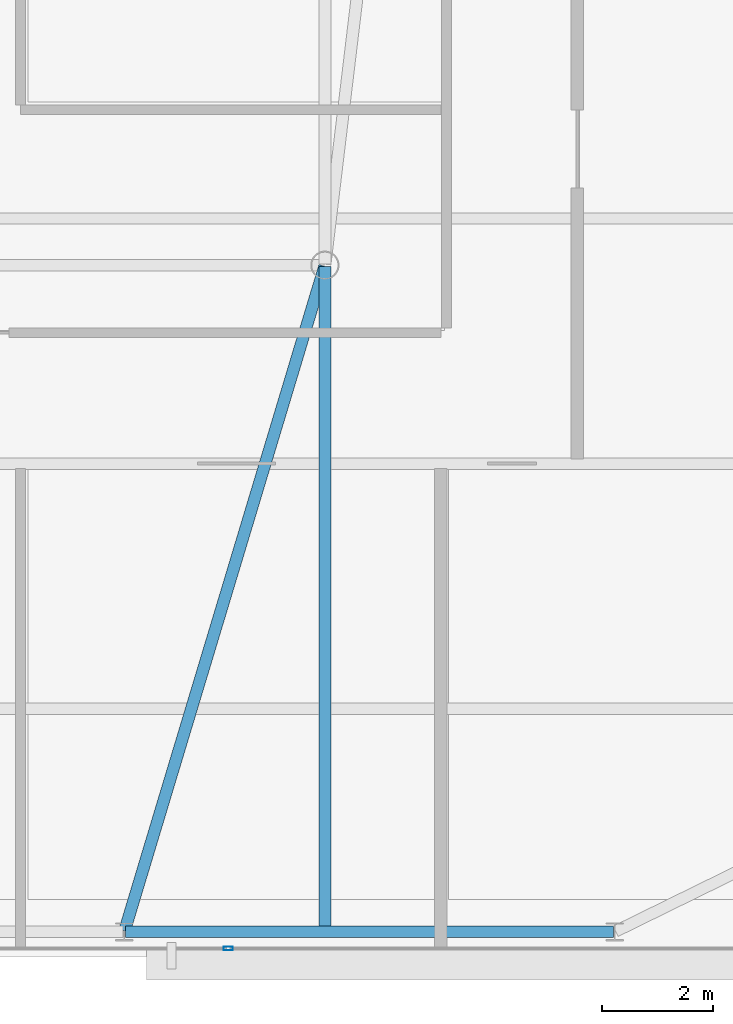
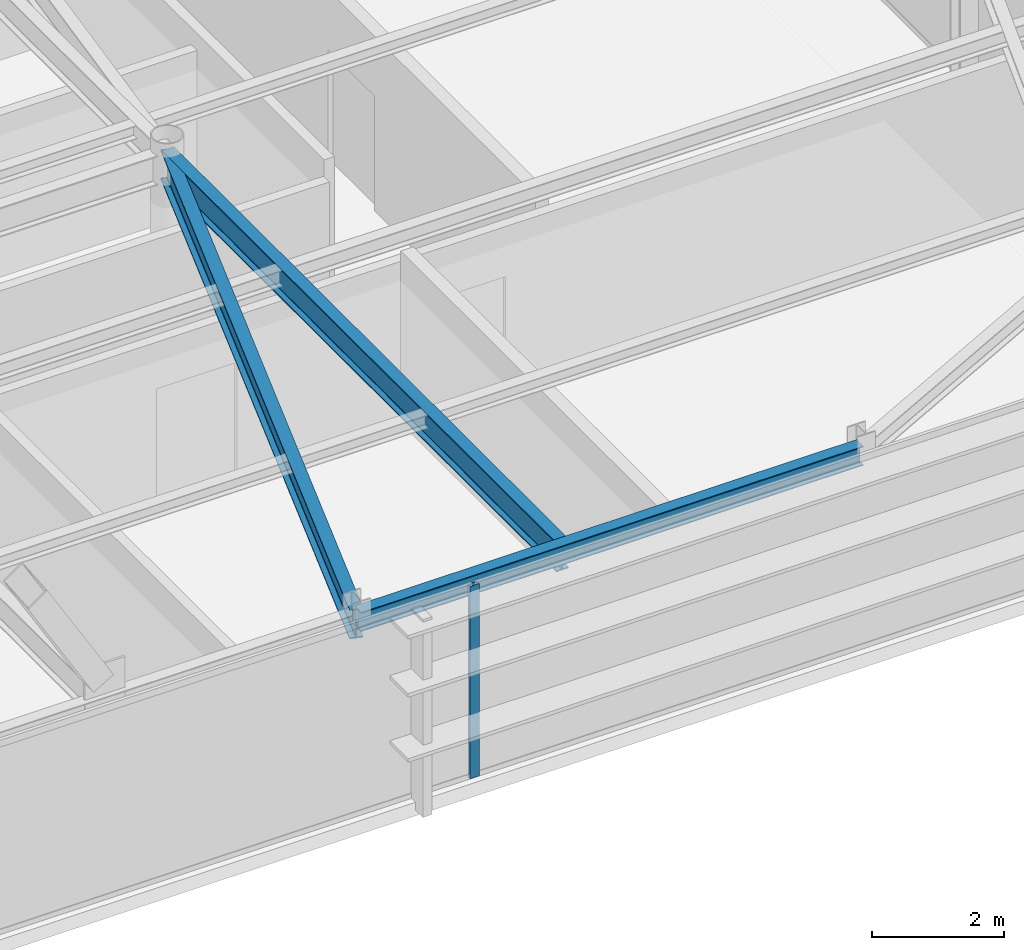
# One storey, part 8 of 24: 3 beams, 1 member, 1 element without a shape of its own.
"""IFC4 building model written with IfcOpenShell, lengths in metres."""

from ifc_helpers import new_model, si_unit, direction, frame, origin, origin_2d, place, context, subcontext, project, spatial, hollow_rectangle, i_section, extrude, source, transform, mapped, material, layer, layer_set, material_profile, profile_set, type_object, type_shapes, element, aggregate, save


model = new_model("IFC4")

# Units and contexts
model_context = context("Model", 3, precision=1e-05, world=origin(), true_north=direction((0.0, 1.0)))
body_context = subcontext(model_context, "Body", "Model", "MODEL_VIEW")
ifc_project = project(units=[si_unit("LENGTHUNIT", "METRE"), si_unit("AREAUNIT", "SQUARE_METRE"), si_unit("VOLUMEUNIT", "CUBIC_METRE"), si_unit("PLANEANGLEUNIT", "RADIAN"), si_unit("MASSUNIT", "GRAM", prefix="KILO")], contexts=[model_context])

# Site, building, storey
site_placement = place(None, origin())
site = spatial("IfcSite", under=ifc_project, at=site_placement, CompositionType="ELEMENT")
building_placement = place(site_placement, origin())
building = spatial("IfcBuilding", under=site, at=building_placement, Name="Varnel Quay Broadcast Tower", CompositionType="ELEMENT")
storey_placement = place(building_placement, frame((0.0, 0.0, 262.199951171875)))
storey = spatial("IfcBuildingStorey", under=building, at=storey_placement, Name="L65", CompositionType="ELEMENT", Elevation=262.199951171875)

# Beams
ifc_material_1 = material(Name="Structural Steel CSA G40.21 350W", Category="steel")
ifc_material_profile_1 = material_profile(ifc_material_1, i_section(OverallWidth=0.205078125, OverallDepth=0.35400390625, WebThickness=0.009521484375, FlangeThickness=0.016845703125, FilletRadius=0.012939453125, at=origin_2d()), Name="W360X79")
ifc_profile_set_1 = profile_set([ifc_material_profile_1], Name="Structural Steel CSA G40.21 350W")
beam_type_1 = type_object("IfcBeamType", Name="Beam_W360X79", PredefinedType="SPANDREL", material=ifc_profile_set_1)
shared_shape_1 = source(origin(), body_context, "Body", "SweptSolid", [
    extrude(i_section(OverallWidth=0.205078125, OverallDepth=0.35400390625, WebThickness=0.009521484375, FlangeThickness=0.016845703125, FilletRadius=0.012939453125, at=origin_2d()), origin(), (0.0, 0.0, 1.0), 8.760009765625),
])
type_shapes(beam_type_1, [shared_shape_1])
beam_1_placement = place(storey_placement, frame((38.419921875, 13.64990234375, 3.373046875), z_axis=(1.0, 0.0, 0.0), x_axis=(0.0, 1.0, 0.0)))
element("IfcBeam", 1, at=beam_1_placement, inside=storey, type_object=beam_type_1, Name="L65 South Spandrel TC-S3-TC-S4", PredefinedType="SPANDREL", context=body_context, shape_type="MappedRepresentation", body=[
    mapped(shared_shape_1, transform((0.0, 0.0, 0.0), x_axis=(1.0, 0.0, 0.0), y_axis=(0.0, 1.0, 0.0), z_axis=(0.0, 0.0, 1.0), scale=1.0)),
])
ifc_material_profile_2 = material_profile(ifc_material_1, i_section(OverallWidth=0.2119140625, OverallDepth=0.5439453125, WebThickness=0.01318359375, FlangeThickness=0.021240234375, FilletRadius=0.013916015625, at=origin_2d()), Name="W530X123")
ifc_profile_set_2 = profile_set([ifc_material_profile_2], Name="Structural Steel CSA G40.21 350W")
beam_type_2 = type_object("IfcBeamType", Name="Girder_W530X123", PredefinedType="BEAM", material=ifc_profile_set_2)
shared_shape_2 = source(origin(), body_context, "Body", "SweptSolid", [
    extrude(i_section(OverallWidth=0.2119140625, OverallDepth=0.5439453125, WebThickness=0.01318359375, FlangeThickness=0.021240234375, FilletRadius=0.013916015625, at=origin_2d()), origin(), (0.0, 0.0, 1.0), 12.449951171875),
])
beam_2_placement = place(storey_placement, frame((38.40576171875, 13.669189453125, 3.278076171875), z_axis=(0.28822390679, 0.957563042078, 0.0), x_axis=(-0.957563042078, 0.28822390679, 0.0)))
element("IfcBeam", 2, at=beam_2_placement, inside=storey, type_object=beam_type_2, Name="L65 Primary Girder TC-S3-IC-02", PredefinedType="BEAM", context=body_context, shape_type="MappedRepresentation", body=[
    mapped(shared_shape_2, transform((0.0, 0.0, 0.0), x_axis=(1.0, 0.0, 0.0), y_axis=(0.0, 1.0, 0.0), z_axis=(0.0, 0.0, 1.0), scale=1.0)),
])
shared_shape_3 = source(origin(), body_context, "Body", "SweptSolid", [
    extrude(i_section(OverallWidth=0.2119140625, OverallDepth=0.5439453125, WebThickness=0.01318359375, FlangeThickness=0.021240234375, FilletRadius=0.013916015625, at=origin_2d()), origin(), (0.0, 0.0, 1.0), 11.920166015625),
])
type_shapes(beam_type_2, [shared_shape_2, shared_shape_3])
beam_3_placement = place(storey_placement, frame((42.0, 13.669921875, 3.278076171875), z_axis=(0.0, 1.0, 0.0), x_axis=(-1.0, 0.0, 0.0)))
element("IfcBeam", 3, at=beam_3_placement, inside=storey, type_object=beam_type_2, Name="L65 N-S Joist Header IC-02S", PredefinedType="BEAM", context=body_context, shape_type="MappedRepresentation", body=[
    mapped(shared_shape_3, transform((0.0, 0.0, 0.0), x_axis=(1.0, 0.0, 0.0), y_axis=(0.0, 1.0, 0.0), z_axis=(0.0, 0.0, 1.0), scale=1.0)),
])

# Curtain wall, member
ifc_material_2 = material(Name="Anodised Bronze Aluminium 6063-T6", Category="aluminium")
ifc_layer = layer(ifc_material_2, 0.18994140625, Name="Anodised Bronze Aluminium 6063-T6")
ifc_layer_set = layer_set([ifc_layer], Name="Anodised Bronze Aluminium 6063-T6")
curtain_wall_type = type_object("IfcCurtainWallType", Name="CW_UpperTower", PredefinedType="NOTDEFINED", material=ifc_layer_set)
curtain_wall_placement = place(storey_placement, origin())
curtain_wall = element("IfcCurtainWall", 4, at=curtain_wall_placement, inside=storey, type_object=curtain_wall_type, Name="L65 South Unitised Curtain Wall 1", PredefinedType="NOTDEFINED")
ifc_material_profile_3 = material_profile(ifc_material_2, hollow_rectangle(XDim=0.06494140625, YDim=0.1650390625, WallThickness=0.00341796875, at=origin_2d()), Name="ALU65X165X3.5")
ifc_profile_set_3 = profile_set([ifc_material_profile_3], Name="Anodised Bronze Aluminium 6063-T6")
member_type = type_object("IfcMemberType", Name="Mull_CWS-03", PredefinedType="MULLION", material=ifc_profile_set_3)
shared_shape_4 = source(origin(), body_context, "Body", "SweptSolid", [
    extrude(hollow_rectangle(XDim=0.06494140625, YDim=0.1650390625, WallThickness=0.00341796875, at=origin_2d()), origin(), (0.0, 0.0, 1.0), 3.550048828125),
])
type_shapes(member_type, [shared_shape_4])
member_placement = place(storey_placement, frame((40.2666015625, 13.35009765625, 0.0), z_axis=(0.0, 0.0, 1.0), x_axis=(0.0, 1.0, 0.0)))
member = element("IfcMember", 5, at=member_placement, type_object=member_type, Name="CWS-03 mullion 3", PredefinedType="MULLION", context=body_context, shape_type="MappedRepresentation", body=[
    mapped(shared_shape_4, transform((0.0, 0.0, 0.0), x_axis=(1.0, 0.0, 0.0), y_axis=(0.0, 1.0, 0.0), z_axis=(0.0, 0.0, 1.0), scale=1.0)),
])
aggregate(curtain_wall, [member])

save(model, "model.ifc")
